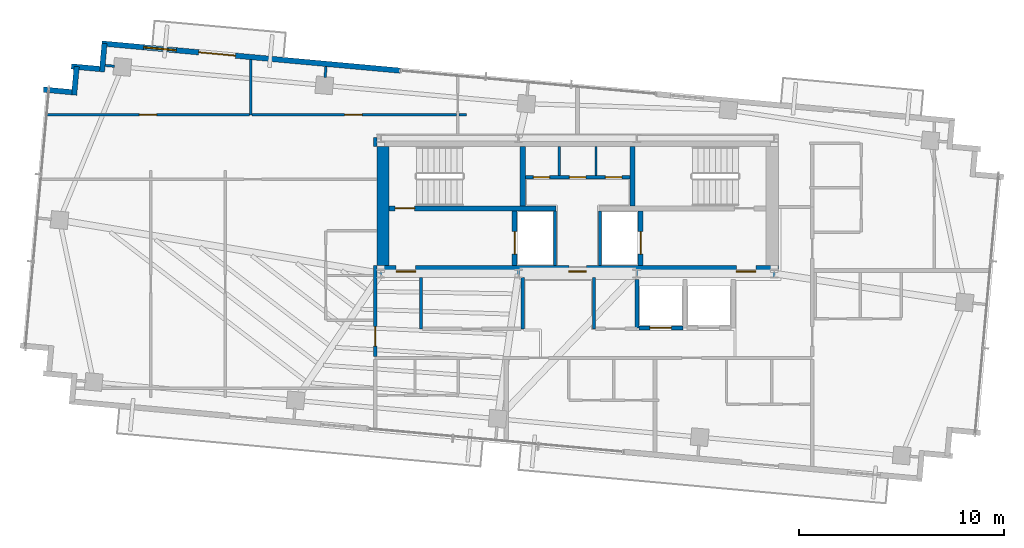
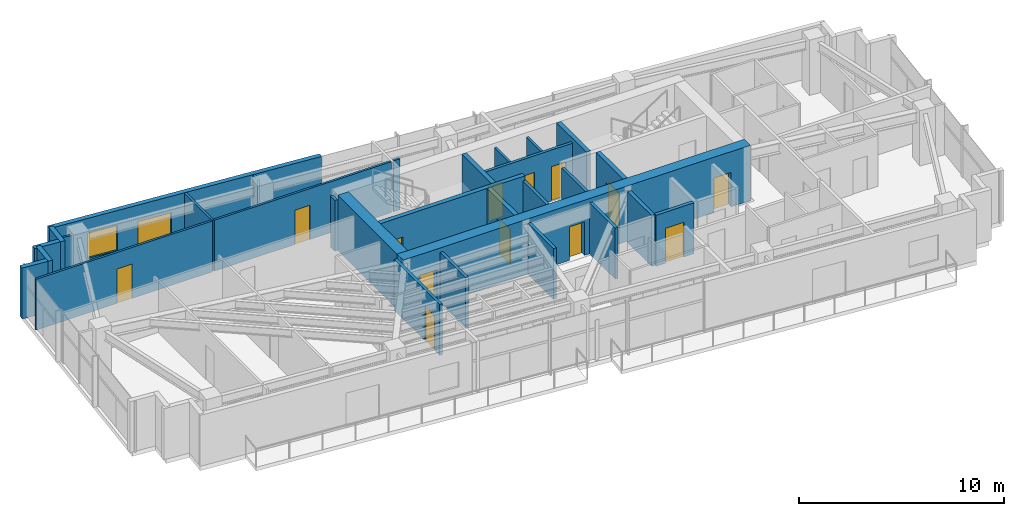
# One storey, part 17 of 22: 30 walls, 14 doors, 1 window, 15 openings.
"""IFC4 building model written with IfcOpenShell, lengths in metres."""

import ifcopenshell
import ifcopenshell.guid

model = None  # the IFC model being written
_history = None  # IfcOwnerHistory: only IFC2X3 demands one
_inside = {}  # id of a spatial element -> (the spatial element, [elements in it])
_under = {}  # id of a project, library or spatial element -> (it, [spatial elements below it])
_declared = {}  # id of a project -> (the project, [libraries it declares])
_typed = {}  # id of a type object -> (the type object, [elements of that type])
_made_of = {}  # id of a material, layer set ... -> (it, [elements and type objects made of it])


def new_model(schema):
    """Start an empty IFC model of exactly this schema.

    Asked for "IFC4X3", IfcOpenShell would pick the latest addendum, in which some entities
    have other attributes; the version numbers below select the first issue.
    IFC2X3 requires an IfcOwnerHistory on every rooted entity: one is made here for all.
    """
    global model, _history
    if schema == "IFC4X3":
        model = ifcopenshell.file(schema_version=(4, 3, 0, 0))
    else:
        model = ifcopenshell.file(schema=schema)
    _inside.clear()
    _under.clear()
    _declared.clear()
    _typed.clear()
    _made_of.clear()
    _history = None
    if model.schema == "IFC2X3":
        org = make("IfcOrganization", Name="unknown")
        user = make(
            "IfcPersonAndOrganization",
            ThePerson=make("IfcPerson", FamilyName="unknown"),
            TheOrganization=org,
        )
        app = make(
            "IfcApplication",
            ApplicationDeveloper=org,
            Version="unknown",
            ApplicationFullName="unknown",
            ApplicationIdentifier="unknown",
        )
        _history = make(
            "IfcOwnerHistory",
            OwningUser=user,
            OwningApplication=app,
            ChangeAction="ADDED",
            CreationDate=0,
        )
    return model


def make(cls, **values):
    """One entity of the class cls with the attributes given. An attribute that is None is left unset."""
    return model.create_entity(
        cls, **{name: value for name, value in values.items() if value is not None}
    )


def rooted(cls, **values):
    """An entity with a GlobalId (a new one), such as an element, a storey or a relation."""
    return make(cls, GlobalId=ifcopenshell.guid.new(), OwnerHistory=_history, **values)


def si_unit(unit_type, name, prefix=None):
    """IfcSIUnit, for example si_unit("LENGTHUNIT", "METRE", prefix="MILLI")."""
    return make("IfcSIUnit", UnitType=unit_type, Prefix=prefix, Name=name)


def assignment(units):
    """IfcUnitAssignment: the units of a project."""
    return None if units is None else make("IfcUnitAssignment", Units=units)


def point(xyz):
    """IfcCartesianPoint."""
    return None if xyz is None else make("IfcCartesianPoint", Coordinates=xyz)


def direction(xyz):
    """IfcDirection."""
    return None if xyz is None else make("IfcDirection", DirectionRatios=xyz)


def frame(location, z_axis=None, x_axis=None):
    """IfcAxis2Placement3D, a coordinate frame: its origin and axes. An axis left out is left unset."""
    return make(
        "IfcAxis2Placement3D",
        Location=point(location),
        Axis=direction(z_axis),
        RefDirection=direction(x_axis),
    )


def frame_2d(location, x_axis=None):
    """IfcAxis2Placement2D, a coordinate frame in the plane: its origin and x axis."""
    return make(
        "IfcAxis2Placement2D", Location=point(location), RefDirection=direction(x_axis)
    )


def origin():
    """The frame at (0, 0, 0) with its axes left unset."""
    return frame((0.0, 0.0, 0.0))


def place(relative_to, where):
    """IfcLocalPlacement: puts the frame where relative to a parent placement (None: the world)."""
    return make(
        "IfcLocalPlacement", PlacementRelTo=relative_to, RelativePlacement=where
    )


def context(
    kind, dimensions, precision=None, world=None, true_north=None, identifier=None
):
    """IfcGeometricRepresentationContext, for example the 3D "Model" context."""
    return make(
        "IfcGeometricRepresentationContext",
        ContextIdentifier=identifier,
        ContextType=kind,
        CoordinateSpaceDimension=dimensions,
        Precision=precision,
        WorldCoordinateSystem=world,
        TrueNorth=true_north,
    )


def subcontext(parent, identifier, kind, view, scale=None):
    """IfcGeometricRepresentationSubContext, for example "Body" below "Model"."""
    return make(
        "IfcGeometricRepresentationSubContext",
        ContextIdentifier=identifier,
        ContextType=kind,
        ParentContext=parent,
        TargetScale=scale,
        TargetView=view,
    )


def project(units=None, contexts=None):
    """IfcProject with its units and contexts."""
    return rooted(
        "IfcProject",
        Name="project",
        RepresentationContexts=contexts,
        UnitsInContext=assignment(units),
    )


def spatial(cls, under=None, at=None, **own):
    """A site, building, storey or space (cls), placed at a placement, below another one or the project."""
    s = rooted(cls, ObjectPlacement=at, **own)
    if under is not None:
        _under.setdefault(under.id(), (under, []))[1].append(s)
    return s


def profile(cls, at=None, kind="AREA", **sizes):
    """A parametric profile (cls). Its sizes go by their IFC names, for example OverallWidth=200.0."""
    return make(cls, ProfileType=kind, Position=at, **sizes)


def rectangle(**sizes):
    """IfcRectangleProfileDef."""
    return profile("IfcRectangleProfileDef", **sizes)


def extrude(swept, where, along, depth):
    """IfcExtrudedAreaSolid: the profile swept, set in the frame where, extruded along a direction by depth."""
    return make(
        "IfcExtrudedAreaSolid",
        SweptArea=swept,
        Position=where,
        ExtrudedDirection=direction(along),
        Depth=depth,
    )


def shape(context_of_items, identifier, shape_type, items):
    """IfcShapeRepresentation: the items that make up one representation, for example the "Body"."""
    return make(
        "IfcShapeRepresentation",
        ContextOfItems=context_of_items,
        RepresentationIdentifier=identifier,
        RepresentationType=shape_type,
        Items=items,
    )


def source(mapping_origin, context_of_items, identifier, shape_type, items):
    """IfcRepresentationMap: a shape defined once, which mapped items show again and again."""
    return make(
        "IfcRepresentationMap",
        MappingOrigin=mapping_origin,
        MappedRepresentation=shape(context_of_items, identifier, shape_type, items),
    )


def transform(
    local_origin,
    x_axis=None,
    y_axis=None,
    z_axis=None,
    scale=None,
    scale2=None,
    scale3=None,
    uniform=True,
):
    """IfcCartesianTransformationOperator3D, or its non-uniform kind. x_axis, y_axis, z_axis: its Axis1, 2, 3."""
    if uniform:
        return make(
            "IfcCartesianTransformationOperator3D",
            Axis1=direction(x_axis),
            Axis2=direction(y_axis),
            LocalOrigin=point(local_origin),
            Scale=scale,
            Axis3=direction(z_axis),
        )
    return make(
        "IfcCartesianTransformationOperator3DnonUniform",
        Axis1=direction(x_axis),
        Axis2=direction(y_axis),
        LocalOrigin=point(local_origin),
        Scale=scale,
        Axis3=direction(z_axis),
        Scale2=scale2,
        Scale3=scale3,
    )


def mapped(mapping_source, mapping_target):
    """IfcMappedItem: shows the shape of a source again, moved by a transform."""
    return make(
        "IfcMappedItem", MappingSource=mapping_source, MappingTarget=mapping_target
    )


def material(Name=None, Category=None):
    """IfcMaterial."""
    return make("IfcMaterial", Name=Name, Category=Category)


def layer(
    of_material, thickness, ventilated=None, Name=None, Category=None, Priority=None
):
    """IfcMaterialLayer: one layer of a wall or slab, of a material (None: an air gap)."""
    return make(
        "IfcMaterialLayer",
        Material=of_material,
        LayerThickness=thickness,
        IsVentilated=ventilated,
        Name=Name,
        Category=Category,
        Priority=Priority,
    )


def layer_set(layers, Name=None):
    """IfcMaterialLayerSet."""
    return make("IfcMaterialLayerSet", MaterialLayers=layers, LayerSetName=Name)


def made_of(thing, what):
    """Note that an element or type object is made of a material, layer set ...; save() writes the relation."""
    if what is not None:
        _made_of.setdefault(what.id(), (what, []))[1].append(thing)
    return thing


def type_object(cls, material=None, **own):
    """A type object (cls), such as IfcWallType, which elements share."""
    return made_of(rooted(cls, **own), material)


def type_shapes(of_type, sources):
    """Give a type object the sources (RepresentationMaps) that its elements show as mapped items."""
    of_type.RepresentationMaps = sources


def element(
    cls,
    number,
    at=None,
    inside=None,
    cuts=None,
    type_object=None,
    material=None,
    context=None,
    identifier="Body",
    shape_type=None,
    held_by="IfcProductDefinitionShape",
    body=None,
    shapes=None,
    **own,
):
    """One element of the class cls, such as IfcWall. Its Tag is "e" and its number.

    at: its placement. inside: the storey or other place that contains it. cuts: it is an
    opening in that element (IfcRelVoidsElement). A single representation is given by context,
    identifier, shape_type and body (its items); several are given by shapes. held_by: the class
    of the entity that holds the representations. save() writes the other relations.
    """
    e = rooted(cls, Tag="e%d" % number, ObjectPlacement=at, **own)
    if body is not None:
        shapes = [shape(context, identifier, shape_type, body)]
    if shapes is not None:
        e.Representation = make(held_by, Representations=shapes)
    if inside is not None:
        _inside.setdefault(inside.id(), (inside, []))[1].append(e)
    if cuts is not None:
        rooted(
            "IfcRelVoidsElement", RelatingBuildingElement=cuts, RelatedOpeningElement=e
        )
    if type_object is not None:
        _typed.setdefault(type_object.id(), (type_object, []))[1].append(e)
    return made_of(e, material)


def fill(opening, filler):
    """IfcRelFillsElement: the door or window that sits in an opening."""
    return rooted(
        "IfcRelFillsElement",
        RelatingOpeningElement=opening,
        RelatedBuildingElement=filler,
    )


def aggregate(whole, parts):
    """IfcRelAggregates: a whole, such as a stair, and the parts it consists of."""
    return rooted("IfcRelAggregates", RelatingObject=whole, RelatedObjects=parts)


def save(model, path):
    """Write the relations noted so far, then the file.

    IfcRelAggregates (storeys below a building ...), IfcRelContainedInSpatialStructure (elements
    in a storey), IfcRelDefinesByType, IfcRelAssociatesMaterial and IfcRelDeclares: one each for
    every whole, place, type object, material and project.
    """
    for whole, parts in _under.values():
        aggregate(whole, parts)
    for where, things in _inside.values():
        rooted(
            "IfcRelContainedInSpatialStructure",
            RelatedElements=things,
            RelatingStructure=where,
        )
    for kind, things in _typed.values():
        rooted("IfcRelDefinesByType", RelatedObjects=things, RelatingType=kind)
    for what, things in _made_of.values():
        rooted("IfcRelAssociatesMaterial", RelatedObjects=things, RelatingMaterial=what)
    for by, libraries in _declared.values():
        rooted("IfcRelDeclares", RelatingContext=by, RelatedDefinitions=libraries)
    model.write(path)


model = new_model("IFC4")

# Units and contexts
model_context = context("Model", 3, precision=1e-05, world=origin(), true_north=direction((0.0, 1.0)))
body_context = subcontext(model_context, "Body", "Model", "MODEL_VIEW")
ifc_project = project(units=[si_unit("LENGTHUNIT", "METRE"), si_unit("AREAUNIT", "SQUARE_METRE"), si_unit("VOLUMEUNIT", "CUBIC_METRE"), si_unit("PLANEANGLEUNIT", "RADIAN"), si_unit("MASSUNIT", "GRAM", prefix="KILO")], contexts=[model_context])

# Site, building, storey
site_placement = place(None, origin())
site = spatial("IfcSite", under=ifc_project, at=site_placement, CompositionType="ELEMENT")
building_placement = place(site_placement, origin())
building = spatial("IfcBuilding", under=site, at=building_placement, Name="Astriad Promenade Condominiums", CompositionType="ELEMENT")
storey_placement = place(building_placement, frame((0.0, 0.0, 233.10009765625)))
storey = spatial("IfcBuildingStorey", under=building, at=storey_placement, Name="L67", CompositionType="ELEMENT", Elevation=233.10009765625)

# Wall, openings, doors
ifc_material_1 = material(Name="Concrete C50/60", Category="concrete")
ifc_layer_1 = layer(ifc_material_1, 0.60009765625)
ifc_layer_set_1 = layer_set([ifc_layer_1], Name="Concrete C50/60")
wall_type_1 = type_object("IfcWallType", Name="CW-SHEAR-600", PredefinedType="SHEAR", material=ifc_layer_set_1)
wall_1_placement = place(storey_placement, frame((26.199951171875, 17.5, 0.0), z_axis=(0.0, 0.0, 1.0), x_axis=(1.0, 0.0, 0.0)))
wall_1 = element("IfcWall", 1, at=wall_1_placement, inside=storey, type_object=wall_type_1, Name="CW-CORE-S-L67", PredefinedType="SHEAR", context=body_context, shape_type="SweptSolid", body=[
    extrude(rectangle(XDim=19.60009765625, YDim=0.60009765625, at=frame_2d((9.800048828125, 0.0))), origin(), (0.0, 0.0, 1.0), 3.2998046875),
])
opening_1_placement = place(wall_1_placement, frame((0.949951171875, 0.0, 0.0)))
opening_1 = element("IfcOpeningElement", 2, at=opening_1_placement, cuts=wall_1, Name="Opening FD90-ST-095", PredefinedType="OPENING", context=body_context, shape_type="SweptSolid", body=[
    extrude(rectangle(XDim=0.949951171875, YDim=2.06005859375, at=frame_2d((0.47509765625, 1.030029296875))), frame((0.0, 0.31005859375, 0.0), z_axis=(0.0, -1.0, 0.0), x_axis=(1.0, 0.0, 0.0)), (0.0, 0.0, 1.0), 0.6201171875),
])
opening_2_placement = place(wall_1_placement, frame((9.3798828125, 0.0, 0.0)))
opening_2 = element("IfcOpeningElement", 3, at=opening_2_placement, cuts=wall_1, Name="Opening FD60-ULOW-085", PredefinedType="OPENING", context=body_context, shape_type="SweptSolid", body=[
    extrude(rectangle(XDim=0.85009765625, YDim=2.0, at=frame_2d((0.425048828125, 1.0))), frame((0.0, 0.31005859375, 0.0), z_axis=(0.0, -1.0, 0.0), x_axis=(1.0, 0.0, 0.0)), (0.0, 0.0, 1.0), 0.6201171875),
])
opening_3_placement = place(wall_1_placement, frame((17.550048828125, 0.0, 0.0)))
opening_3 = element("IfcOpeningElement", 4, at=opening_3_placement, cuts=wall_1, Name="Opening FD90-ST-095", PredefinedType="OPENING", context=body_context, shape_type="SweptSolid", body=[
    extrude(rectangle(XDim=0.949951171875, YDim=2.06005859375, at=frame_2d((0.47509765625, 1.030029296875))), frame((0.0, 0.31005859375, 0.0), z_axis=(0.0, -1.0, 0.0), x_axis=(1.0, 0.0, 0.0)), (0.0, 0.0, 1.0), 0.6201171875),
])
ifc_material_2 = material(Name="Fire-Rated Hollow Metal Stair Door")
door_type_1 = type_object("IfcDoorType", Name="FD90-ST-095", OperationType="NOTDEFINED", PredefinedType="DOOR", material=ifc_material_2)
shared_shape_1 = source(origin(), body_context, "Body", "SweptSolid", [
    extrude(rectangle(XDim=0.949951171875, YDim=2.06005859375, at=frame_2d((0.47509765625, 1.030029296875))), frame((0.0, 0.02490234375, 0.0), z_axis=(0.0, -1.0, 0.0), x_axis=(1.0, 0.0, 0.0)), (0.0, 0.0, 1.0), 0.050048828125),
])
type_shapes(door_type_1, [shared_shape_1])
door_1_placement = place(opening_1_placement, origin())
door_1 = element("IfcDoor", 5, at=door_1_placement, inside=storey, type_object=door_type_1, Name="D-FFW-L67", OperationType="SINGLE_SWING_LEFT", OverallHeight=2.06005859375, OverallWidth=0.949951171875, PredefinedType="DOOR", context=body_context, shape_type="MappedRepresentation", body=[
    mapped(shared_shape_1, transform((0.0, 0.0, 0.0), scale=1.0)),
])
fill(opening_1, door_1)
door_2_placement = place(opening_3_placement, origin())
door_2 = element("IfcDoor", 6, at=door_2_placement, inside=storey, type_object=door_type_1, Name="D-FFE-L67", OperationType="SINGLE_SWING_RIGHT", OverallHeight=2.06005859375, OverallWidth=0.949951171875, PredefinedType="DOOR", context=body_context, shape_type="MappedRepresentation", body=[
    mapped(shared_shape_1, transform((0.0, 0.0, 0.0), scale=1.0)),
])
fill(opening_3, door_2)
ifc_material_3 = material(Name="Solid-Core Low-Headroom Fire Door")
door_type_2 = type_object("IfcDoorType", Name="FD60-ULOW-085", OperationType="NOTDEFINED", PredefinedType="DOOR", material=ifc_material_3)
shared_shape_2 = source(origin(), body_context, "Body", "SweptSolid", [
    extrude(rectangle(XDim=0.85009765625, YDim=2.0, at=frame_2d((0.425048828125, 1.0))), frame((0.0, 0.02490234375, 0.0), z_axis=(0.0, -1.0, 0.0), x_axis=(1.0, 0.0, 0.0)), (0.0, 0.0, 1.0), 0.050048828125),
])
type_shapes(door_type_2, [shared_shape_2])
door_3_placement = place(opening_2_placement, origin())
door_3 = element("IfcDoor", 7, at=door_3_placement, inside=storey, type_object=door_type_2, Name="D-CSL-L67", OperationType="SINGLE_SWING_RIGHT", OverallHeight=2.0, OverallWidth=0.85009765625, PredefinedType="DOOR", context=body_context, shape_type="MappedRepresentation", body=[
    mapped(shared_shape_2, transform((0.0, 0.0, 0.0), scale=1.0)),
])
fill(opening_2, door_3)

# Wall
wall_2_placement = place(storey_placement, frame((26.5, 17.802001953125, 0.0), z_axis=(0.0, 0.0, 1.0), x_axis=(0.0, 1.0, 0.0)))
element("IfcWall", 8, at=wall_2_placement, inside=storey, type_object=wall_type_1, Name="CW-CORE-W-L67", PredefinedType="SHEAR", context=body_context, shape_type="SweptSolid", body=[
    extrude(rectangle(XDim=5.7958984375, YDim=0.60009765625, at=frame_2d((2.89794921875, 0.0))), origin(), (0.0, 0.0, 1.0), 3.2998046875),
])

# Wall, opening, door
ifc_layer_2 = layer(ifc_material_1, 0.25)
ifc_layer_set_2 = layer_set([ifc_layer_2], Name="Concrete C50/60")
wall_type_2 = type_object("IfcWallType", Name="WALL-CORE-INT-250", PredefinedType="SOLIDWALL", material=ifc_layer_set_2)
wall_3_placement = place(storey_placement, frame((26.802001953125, 20.574951171875, 0.0), z_axis=(0.0, 0.0, 1.0), x_axis=(1.0, 0.0, 0.0)))
wall_3 = element("IfcWall", 9, at=wall_3_placement, inside=storey, type_object=wall_type_2, Name="CW-INT-H1-L67", PredefinedType="SOLIDWALL", context=body_context, shape_type="SweptSolid", body=[
    extrude(rectangle(XDim=8.14794921875, YDim=0.25, at=frame_2d((4.073974609375, 0.0))), origin(), (0.0, 0.0, 1.0), 3.2998046875),
])
opening_4_placement = place(wall_3_placement, frame((0.298095703125, 0.0, 0.0)))
opening_4 = element("IfcOpeningElement", 10, at=opening_4_placement, cuts=wall_3, Name="Opening FD90-ST-095", PredefinedType="OPENING", context=body_context, shape_type="SweptSolid", body=[
    extrude(rectangle(XDim=0.949951171875, YDim=2.06005859375, at=frame_2d((0.47509765625, 1.030029296875))), frame((0.0, 0.135009765625, 0.0), z_axis=(0.0, -1.0, 0.0), x_axis=(1.0, 0.0, 0.0)), (0.0, 0.0, 1.0), 0.27001953125),
])
door_4_placement = place(opening_4_placement, origin())
door_4 = element("IfcDoor", 11, at=door_4_placement, inside=storey, type_object=door_type_1, Name="D-ST1-L67", OperationType="SINGLE_SWING_RIGHT", OverallHeight=2.06005859375, OverallWidth=0.949951171875, PredefinedType="DOOR", context=body_context, shape_type="MappedRepresentation", body=[
    mapped(shared_shape_1, transform((0.0, 0.0, 0.0), scale=1.0)),
])
fill(opening_4, door_4)

# Walls
for number, where, z_axis, x_axis, name in (
    (12, (33.324951171875, 20.701904296875, 0.0), (0.0, 0.0, 1.0), (0.0, 1.0, 0.0), "CW-ST1-E-L67"),
    (13, (38.675048828125, 20.701904296875, 0.0), (0.0, 0.0, 1.0), (0.0, 1.0, 0.0), "CW-ST2-W-L67"),
):
    element("IfcWall", number, at=place(storey_placement, frame(where, z_axis=z_axis, x_axis=x_axis)), inside=storey, type_object=wall_type_2, Name=name, PredefinedType="SOLIDWALL", context=body_context, shape_type="SweptSolid", body=[
        extrude(rectangle(XDim=2.89599609375, YDim=0.25, at=frame_2d((1.447998046875, 0.0))), origin(), (0.0, 0.0, 1.0), 3.2998046875),
    ])

# Wall, opening, door
wall_4_placement = place(storey_placement, frame((32.925048828125, 17.802001953125, 0.0), z_axis=(0.0, 0.0, 1.0), x_axis=(0.0, 1.0, 0.0)))
wall_4 = element("IfcWall", 14, at=wall_4_placement, inside=storey, type_object=wall_type_2, Name="CW-FFL1-W-L67", PredefinedType="SOLIDWALL", context=body_context, shape_type="SweptSolid", body=[
    extrude(rectangle(XDim=2.64599609375, YDim=0.25, at=frame_2d((1.322998046875, 0.0))), origin(), (0.0, 0.0, 1.0), 3.2998046875),
])
opening_5_placement = place(wall_4_placement, frame((0.548095703125, 0.0, 0.0)))
opening_5 = element("IfcOpeningElement", 15, at=opening_5_placement, cuts=wall_4, Name="Opening LD-FFL-1122", PredefinedType="OPENING", context=body_context, shape_type="SweptSolid", body=[
    extrude(rectangle(XDim=1.10009765625, YDim=2.080078125, at=frame_2d((0.550048828125, 1.0400390625))), frame((0.0, 0.135009765625, 0.0), z_axis=(0.0, -1.0, 0.0), x_axis=(1.0, 0.0, 0.0)), (0.0, 0.0, 1.0), 0.27001953125),
])
ifc_material_4 = material(Name="Brushed Stainless Steel Fire Elevator Landing Door", Category="steel")
door_type_3 = type_object("IfcDoorType", Name="LD-FFL-1122", OperationType="NOTDEFINED", PredefinedType="DOOR", material=ifc_material_4)
shared_shape_3 = source(origin(), body_context, "Body", "SweptSolid", [
    extrude(rectangle(XDim=1.10009765625, YDim=2.080078125, at=frame_2d((0.550048828125, 1.0400390625))), frame((0.0, 0.02490234375, 0.0), z_axis=(0.0, -1.0, 0.0), x_axis=(1.0, 0.0, 0.0)), (0.0, 0.0, 1.0), 0.050048828125),
])
type_shapes(door_type_3, [shared_shape_3])
door_5_placement = place(opening_5_placement, origin())
door_5 = element("IfcDoor", 16, at=door_5_placement, inside=storey, type_object=door_type_3, Name="Elevator Landing Door FFL-1 (L67)", OperationType="SLIDING_TO_LEFT", OverallHeight=2.080078125, OverallWidth=1.10009765625, PredefinedType="DOOR", context=body_context, shape_type="MappedRepresentation", body=[
    mapped(shared_shape_3, transform((0.0, 0.0, 0.0), scale=1.0)),
])
fill(opening_5, door_5)

wall_5_placement = place(storey_placement, frame((39.074951171875, 17.802001953125, 0.0), z_axis=(0.0, 0.0, 1.0), x_axis=(0.0, 1.0, 0.0)))
wall_5 = element("IfcWall", 17, at=wall_5_placement, inside=storey, type_object=wall_type_2, Name="CW-FFL2-E-L67", PredefinedType="SOLIDWALL", context=body_context, shape_type="SweptSolid", body=[
    extrude(rectangle(XDim=2.64599609375, YDim=0.25, at=frame_2d((1.322998046875, 0.0))), origin(), (0.0, 0.0, 1.0), 3.2998046875),
])
opening_6_placement = place(wall_5_placement, frame((0.548095703125, 0.0, 0.0)))
opening_6 = element("IfcOpeningElement", 18, at=opening_6_placement, cuts=wall_5, Name="Opening LD-FFL-1122", PredefinedType="OPENING", context=body_context, shape_type="SweptSolid", body=[
    extrude(rectangle(XDim=1.10009765625, YDim=2.080078125, at=frame_2d((0.550048828125, 1.0400390625))), frame((0.0, 0.135009765625, 0.0), z_axis=(0.0, -1.0, 0.0), x_axis=(1.0, 0.0, 0.0)), (0.0, 0.0, 1.0), 0.27001953125),
])
door_6_placement = place(opening_6_placement, origin())
door_6 = element("IfcDoor", 19, at=door_6_placement, inside=storey, type_object=door_type_3, Name="Elevator Landing Door FFL-2 (L67)", OperationType="SLIDING_TO_RIGHT", OverallHeight=2.080078125, OverallWidth=1.10009765625, PredefinedType="DOOR", context=body_context, shape_type="MappedRepresentation", body=[
    mapped(shared_shape_3, transform((0.0, 0.0, 0.0), scale=1.0)),
])
fill(opening_6, door_6)

# Walls
ifc_material_5 = material(Name="Fire-Rated Gypsum Partition")
ifc_layer_3 = layer(ifc_material_5, 0.159912109375)
ifc_layer_set_3 = layer_set([ifc_layer_3], Name="Fire-Rated Gypsum Partition")
wall_type_3 = type_object("IfcWallType", Name="WALL-CORR-160", PredefinedType="PARTITIONING", material=ifc_layer_set_3)
for number, where, z_axis, x_axis, name in (
    (20, (34.89990234375, 17.802001953125, 0.0), (0.0, 0.0, 1.0), (0.0, 1.0, 0.0), "CW-FFL1-E-L67"),
    (21, (37.10009765625, 17.802001953125, 0.0), (0.0, 0.0, 1.0), (0.0, 1.0, 0.0), "CW-FFL2-W-L67"),
):
    element("IfcWall", number, at=place(storey_placement, frame(where, z_axis=z_axis, x_axis=x_axis)), inside=storey, type_object=wall_type_3, Name=name, PredefinedType="PARTITIONING", context=body_context, shape_type="SweptSolid", body=[
        extrude(rectangle(XDim=2.64599609375, YDim=0.159912109375, at=frame_2d((1.322998046875, 0.0))), origin(), (0.0, 0.0, 1.0), 3.039794921875),
    ])

# Wall, openings, doors
wall_6_placement = place(storey_placement, frame((33.451904296875, 22.10009765625, 0.0), z_axis=(0.0, 0.0, 1.0), x_axis=(1.0, 0.0, 0.0)))
wall_6 = element("IfcWall", 22, at=wall_6_placement, inside=storey, type_object=wall_type_3, Name="CW-AUX-N-L67", PredefinedType="PARTITIONING", context=body_context, shape_type="SweptSolid", body=[
    extrude(rectangle(XDim=5.09619140625, YDim=0.159912109375, at=frame_2d((2.548095703125, 0.0))), origin(), (0.0, 0.0, 1.0), 3.039794921875),
])
opening_7_placement = place(wall_6_placement, frame((0.387939453125, 0.0, 0.0)))
opening_7 = element("IfcOpeningElement", 23, at=opening_7_placement, cuts=wall_6, Name="Opening FD60-SV-080", PredefinedType="OPENING", context=body_context, shape_type="SweptSolid", body=[
    extrude(rectangle(XDim=0.800048828125, YDim=2.050048828125, at=frame_2d((0.39990234375, 1.02490234375))), frame((0.0, 0.08984375, 0.0), z_axis=(0.0, -1.0, 0.0), x_axis=(1.0, 0.0, 0.0)), (0.0, 0.0, 1.0), 0.179931640625),
])
opening_8_placement = place(wall_6_placement, frame((2.14794921875, 0.0, 0.0)))
opening_8 = element("IfcOpeningElement", 24, at=opening_8_placement, cuts=wall_6, Name="Opening FD60-SV-080", PredefinedType="OPENING", context=body_context, shape_type="SweptSolid", body=[
    extrude(rectangle(XDim=0.800048828125, YDim=2.050048828125, at=frame_2d((0.39990234375, 1.02490234375))), frame((0.0, 0.08984375, 0.0), z_axis=(0.0, -1.0, 0.0), x_axis=(1.0, 0.0, 0.0)), (0.0, 0.0, 1.0), 0.179931640625),
])
opening_9_placement = place(wall_6_placement, frame((3.907958984375, 0.0, 0.0)))
opening_9 = element("IfcOpeningElement", 25, at=opening_9_placement, cuts=wall_6, Name="Opening FD60-SV-080", PredefinedType="OPENING", context=body_context, shape_type="SweptSolid", body=[
    extrude(rectangle(XDim=0.800048828125, YDim=2.050048828125, at=frame_2d((0.39990234375, 1.02490234375))), frame((0.0, 0.08984375, 0.0), z_axis=(0.0, -1.0, 0.0), x_axis=(1.0, 0.0, 0.0)), (0.0, 0.0, 1.0), 0.179931640625),
])
ifc_material_6 = material(Name="Fire-Rated Riser Closet Door")
door_type_4 = type_object("IfcDoorType", Name="FD60-SV-080", OperationType="NOTDEFINED", PredefinedType="DOOR", material=ifc_material_6)
shared_shape_4 = source(origin(), body_context, "Body", "SweptSolid", [
    extrude(rectangle(XDim=0.800048828125, YDim=2.050048828125, at=frame_2d((0.39990234375, 1.02490234375))), frame((0.0, 0.02490234375, 0.0), z_axis=(0.0, -1.0, 0.0), x_axis=(1.0, 0.0, 0.0)), (0.0, 0.0, 1.0), 0.050048828125),
])
type_shapes(door_type_4, [shared_shape_4])
door_7_placement = place(opening_7_placement, origin())
door_7 = element("IfcDoor", 26, at=door_7_placement, inside=storey, type_object=door_type_4, Name="D-AUX1-L67", OperationType="SINGLE_SWING_RIGHT", OverallHeight=2.050048828125, OverallWidth=0.800048828125, PredefinedType="DOOR", context=body_context, shape_type="MappedRepresentation", body=[
    mapped(shared_shape_4, transform((0.0, 0.0, 0.0), scale=1.0)),
])
fill(opening_7, door_7)
door_8_placement = place(opening_8_placement, origin())
door_8 = element("IfcDoor", 27, at=door_8_placement, inside=storey, type_object=door_type_4, Name="D-AUX2-L67", OperationType="SINGLE_SWING_LEFT", OverallHeight=2.050048828125, OverallWidth=0.800048828125, PredefinedType="DOOR", context=body_context, shape_type="MappedRepresentation", body=[
    mapped(shared_shape_4, transform((0.0, 0.0, 0.0), scale=1.0)),
])
fill(opening_8, door_8)
door_9_placement = place(opening_9_placement, origin())
door_9 = element("IfcDoor", 28, at=door_9_placement, inside=storey, type_object=door_type_4, Name="D-AUX3-L67", OperationType="SINGLE_SWING_RIGHT", OverallHeight=2.050048828125, OverallWidth=0.800048828125, PredefinedType="DOOR", context=body_context, shape_type="MappedRepresentation", body=[
    mapped(shared_shape_4, transform((0.0, 0.0, 0.0), scale=1.0)),
])
fill(opening_9, door_9)

# Wall, opening, door
wall_7_placement = place(storey_placement, frame((26.1201171875, 13.362060546875, 0.0), z_axis=(0.0, 0.0, 1.0), x_axis=(0.0, 1.0, 0.0)))
wall_7 = element("IfcWall", 29, at=wall_7_placement, inside=storey, type_object=wall_type_3, Name="PT-COR-W-L67-S2", PredefinedType="PARTITIONING", context=body_context, shape_type="SweptSolid", body=[
    extrude(rectangle(XDim=4.43994140625, YDim=0.159912109375, at=frame_2d((2.219970703125, 0.0))), origin(), (0.0, 0.0, 1.0), 3.039794921875),
])
opening_10_placement = place(wall_7_placement, frame((0.492919921875, 0.0, 0.0)))
opening_10 = element("IfcOpeningElement", 30, at=opening_10_placement, cuts=wall_7, Name="Opening FD60-APT-095", PredefinedType="OPENING", context=body_context, shape_type="SweptSolid", body=[
    extrude(rectangle(XDim=0.949951171875, YDim=2.06005859375, at=frame_2d((0.47509765625, 1.030029296875))), frame((0.0, 0.08984375, 0.0), z_axis=(0.0, -1.0, 0.0), x_axis=(1.0, 0.0, 0.0)), (0.0, 0.0, 1.0), 0.179931640625),
])
ifc_material_7 = material(Name="Solid-Core Acoustic Timber Residence Entry Door", Category="wood")
door_type_5 = type_object("IfcDoorType", Name="FD60-APT-095", OperationType="NOTDEFINED", PredefinedType="DOOR", material=ifc_material_7)
shared_shape_5 = source(origin(), body_context, "Body", "SweptSolid", [
    extrude(rectangle(XDim=0.949951171875, YDim=2.06005859375, at=frame_2d((0.47509765625, 1.030029296875))), frame((0.0, 0.02490234375, 0.0), z_axis=(0.0, -1.0, 0.0), x_axis=(1.0, 0.0, 0.0)), (0.0, 0.0, 1.0), 0.050048828125),
])
type_shapes(door_type_5, [shared_shape_5])
door_10_placement = place(opening_10_placement, origin())
door_10 = element("IfcDoor", 31, at=door_10_placement, inside=storey, type_object=door_type_5, Name="D-ENT-L67-W1", OperationType="SINGLE_SWING_RIGHT", OverallHeight=2.06005859375, OverallWidth=0.949951171875, PredefinedType="DOOR", context=body_context, shape_type="MappedRepresentation", body=[
    mapped(shared_shape_5, transform((0.0, 0.0, 0.0), scale=1.0)),
])
fill(opening_10, door_10)

# Walls
wall_8_placement = place(storey_placement, frame((26.1201171875, 23.597900390625, 0.0), z_axis=(0.0, 0.0, 1.0), x_axis=(0.0, 1.0, 0.0)))
element("IfcWall", 32, at=wall_8_placement, inside=storey, type_object=wall_type_3, Name="PT-COR-W-L67-S3", PredefinedType="PARTITIONING", context=body_context, shape_type="SweptSolid", body=[
    extrude(rectangle(XDim=0.4521484375, YDim=0.159912109375, at=frame_2d((0.22607421875, 0.0))), origin(), (0.0, 0.0, 1.0), 3.039794921875),
])
for number, where, z_axis, x_axis, name in (
    (33, (28.360107421875, 14.699951171875, 0.0), (0.0, 0.0, 1.0), (0.0, 1.0, 0.0), "PT-Z3REC-W-L67"),
    (34, (33.320068359375, 14.699951171875, 0.0), (0.0, 0.0, 1.0), (0.0, 1.0, 0.0), "PT-Z3REC-E-L67"),
    (35, (36.800048828125, 14.699951171875, 0.0), (0.0, 0.0, 1.0), (0.0, 1.0, 0.0), "PT-Z3R2-W-L67"),
):
    element("IfcWall", number, at=place(storey_placement, frame(where, z_axis=z_axis, x_axis=x_axis)), inside=storey, type_object=wall_type_3, Name=name, PredefinedType="PARTITIONING", context=body_context, shape_type="SweptSolid", body=[
        extrude(rectangle(XDim=2.498046875, YDim=0.159912109375, at=frame_2d((1.2490234375, 0.0))), origin(), (0.0, 0.0, 1.0), 3.039794921875),
    ])
ifc_material_8 = material(Name="Precast concrete C50/60", Category="concrete")
ifc_layer_4 = layer(ifc_material_8, 0.260009765625)
ifc_layer_set_4 = layer_set([ifc_layer_4], Name="Precast concrete C50/60")
wall_type_4 = type_object("IfcWallType", Name="WALL-EXT-TWR-260", PredefinedType="STANDARD", material=ifc_layer_set_4)
for number, where, z_axis, x_axis, name in (
    (36, (9.93505859375, 26.376708984375, 0.0), (0.0, 0.0, 1.0), (0.995881721538, -0.090661991521, 0.0), "W-SER-L67-04"),
    (37, (11.427001953125, 26.110595703125, 0.0), (0.0, 0.0, 1.0), (0.090835571917, 0.995865904063, 0.0), "W-SER-L67-05"),
):
    element("IfcWall", number, at=place(storey_placement, frame(where, z_axis=z_axis, x_axis=x_axis)), inside=storey, type_object=wall_type_4, Name=name, PredefinedType="STANDARD", context=body_context, shape_type="SweptSolid", body=[
        extrude(rectangle(XDim=1.39501953125, YDim=0.260009765625, at=frame_2d((0.697509765625, 0.0))), origin(), (0.0, 0.0, 1.0), 3.039794921875),
    ])
wall_9_placement = place(storey_placement, frame((11.293212890625, 27.50830078125, 0.0), z_axis=(0.0, 0.0, 1.0), x_axis=(0.995883159782, -0.090646191665, 0.0)))
element("IfcWall", 38, at=wall_9_placement, inside=storey, type_object=wall_type_4, Name="W-SER-L67-06", PredefinedType="STANDARD", context=body_context, shape_type="SweptSolid", body=[
    extrude(rectangle(XDim=1.395263671875, YDim=0.260009765625, at=frame_2d((0.69775390625, 0.0))), origin(), (0.0, 0.0, 1.0), 3.039794921875),
])
wall_10_placement = place(storey_placement, frame((12.785400390625, 27.241943359375, 0.0), z_axis=(0.0, 0.0, 1.0), x_axis=(0.090472632758, 0.995898942023, 0.0)))
element("IfcWall", 39, at=wall_10_placement, inside=storey, type_object=wall_type_4, Name="W-SER-L67-07", PredefinedType="STANDARD", context=body_context, shape_type="SweptSolid", body=[
    extrude(rectangle(XDim=1.39501953125, YDim=0.260009765625, at=frame_2d((0.697509765625, 0.0))), origin(), (0.0, 0.0, 1.0), 3.039794921875),
])

# Wall, openings, door, window
wall_11_placement = place(storey_placement, frame((12.78076171875, 28.628173828125, 0.0), z_axis=(0.0, 0.0, 1.0), x_axis=(0.995884584572, -0.090630536861, 0.0)))
wall_11 = element("IfcWall", 40, at=wall_11_placement, inside=storey, type_object=wall_type_4, Name="W-EXT-L67-N1", PredefinedType="STANDARD", context=body_context, shape_type="SweptSolid", body=[
    extrude(rectangle(XDim=14.630126953125, YDim=0.260009765625, at=frame_2d((7.31494140625, 0.0))), origin(), (0.0, 0.0, 1.0), 3.039794921875),
])
opening_11_placement = place(wall_11_placement, frame((4.7490234375, 0.0, 0.0)))
opening_11 = element("IfcOpeningElement", 41, at=opening_11_placement, cuts=wall_11, Name="Opening BD-1822-SLD", PredefinedType="OPENING", context=body_context, shape_type="SweptSolid", body=[
    extrude(rectangle(XDim=1.800048828125, YDim=2.06005859375, at=frame_2d((0.89990234375, 1.030029296875))), frame((0.0, 0.139892578125, 0.0), z_axis=(0.0, -1.0, 0.0), x_axis=(1.0, 0.0, 0.0)), (0.0, 0.0, 1.0), 0.280029296875),
])
opening_12_placement = place(wall_11_placement, frame((2.050048828125, 0.0, 0.64990234375)))
opening_12 = element("IfcOpeningElement", 42, at=opening_12_placement, cuts=wall_11, Name="Opening WIN-TWR-1620", PredefinedType="OPENING", context=body_context, shape_type="SweptSolid", body=[
    extrude(rectangle(XDim=1.60009765625, YDim=1.5, at=frame_2d((0.800048828125, 0.75))), frame((0.0, 0.139892578125, 0.0), z_axis=(0.0, -1.0, 0.0), x_axis=(1.0, 0.0, 0.0)), (0.0, 0.0, 1.0), 0.280029296875),
])
ifc_material_9 = material(Name="Thermally Broken Aluminium Sliding Balcony Door", Category="aluminium")
door_type_6 = type_object("IfcDoorType", Name="BD-1822-SLD", OperationType="NOTDEFINED", PredefinedType="DOOR", material=ifc_material_9)
shared_shape_6 = source(origin(), body_context, "Body", "SweptSolid", [
    extrude(rectangle(XDim=1.800048828125, YDim=2.06005859375, at=frame_2d((0.89990234375, 1.030029296875))), frame((0.0, 0.02490234375, 0.0), z_axis=(0.0, -1.0, 0.0), x_axis=(1.0, 0.0, 0.0)), (0.0, 0.0, 1.0), 0.050048828125),
])
type_shapes(door_type_6, [shared_shape_6])
door_11_placement = place(opening_11_placement, origin())
door_11 = element("IfcDoor", 43, at=door_11_placement, inside=storey, type_object=door_type_6, Name="BD-L67-NW", OperationType="SLIDING_TO_LEFT", OverallHeight=2.06005859375, OverallWidth=1.800048828125, PredefinedType="DOOR", context=body_context, shape_type="MappedRepresentation", body=[
    mapped(shared_shape_6, transform((0.0, 0.0, 0.0), scale=1.0)),
])
fill(opening_11, door_11)
ifc_material_10 = material(Name="Dark Tinted Triple-Glazed Aluminium Window", Category="aluminium")
window_type = type_object("IfcWindowType", Name="WIN-TWR-1620", PartitioningType="SINGLE_PANEL", PredefinedType="WINDOW", material=ifc_material_10)
shared_shape_7 = source(origin(), body_context, "Body", "SweptSolid", [
    extrude(rectangle(XDim=1.60009765625, YDim=1.5, at=frame_2d((0.800048828125, 0.75))), frame((0.0, 0.030029296875, 0.0), z_axis=(0.0, -1.0, 0.0), x_axis=(1.0, 0.0, 0.0)), (0.0, 0.0, 1.0), 0.06005859375),
])
type_shapes(window_type, [shared_shape_7])
window_placement = place(opening_12_placement, origin())
window = element("IfcWindow", 44, at=window_placement, inside=storey, type_object=window_type, Name="WIN-L67-NW", OverallHeight=1.5, OverallWidth=1.60009765625, PartitioningType="SINGLE_PANEL", PredefinedType="WINDOW", context=body_context, shape_type="MappedRepresentation", body=[
    mapped(shared_shape_7, transform((0.0, 0.0, 0.0), scale=1.0)),
])
fill(opening_12, window)

# Walls
ifc_material_11 = material(Name="Acoustic Metal-Stud Gypsum Partition")
ifc_layer_5 = layer(ifc_material_11, 0.1201171875)
ifc_layer_set_5 = layer_set([ifc_layer_5], Name="Acoustic Metal-Stud Gypsum Partition")
wall_type_5 = type_object("IfcWallType", Name="WALL-PART-120", PredefinedType="PARTITIONING", material=ifc_layer_set_5)
for number, where, z_axis, x_axis, name in (
    (45, (35.10009765625, 22.181884765625, 0.0), (0.0, 0.0, 1.0), (0.0, 1.0, 0.0), "CW-AUX-V1-L67"),
    (46, (36.89990234375, 22.181884765625, 0.0), (0.0, 0.0, 1.0), (0.0, 1.0, 0.0), "CW-AUX-V2-L67"),
):
    element("IfcWall", number, at=place(storey_placement, frame(where, z_axis=z_axis, x_axis=x_axis)), inside=storey, type_object=wall_type_5, Name=name, PredefinedType="PARTITIONING", context=body_context, shape_type="SweptSolid", body=[
        extrude(rectangle(XDim=1.416015625, YDim=0.1201171875, at=frame_2d((0.7080078125, 0.0))), origin(), (0.0, 0.0, 1.0), 3.039794921875),
    ])
wall_12_placement = place(storey_placement, frame((20.044921875, 25.14208984375, 0.0), z_axis=(0.0, 0.0, 1.0), x_axis=(0.0, 1.0, 0.0)))
element("IfcWall", 47, at=wall_12_placement, inside=storey, type_object=wall_type_5, Name="PT-L67-W1-B1M", PredefinedType="PARTITIONING", context=body_context, shape_type="SweptSolid", body=[
    extrude(rectangle(XDim=2.6923828125, YDim=0.1201171875, at=frame_2d((1.34619140625, 0.0))), origin(), (0.0, 0.0, 1.0), 3.039794921875),
])

# Wall, opening, door
wall_13_placement = place(storey_placement, frame((10.03369140625, 25.14208984375, 0.0), z_axis=(0.0, 0.0, 1.0), x_axis=(1.0, 0.0, 0.0)))
wall_13 = element("IfcWall", 48, at=wall_13_placement, inside=storey, type_object=wall_type_5, Name="PT-L67-W1-B1", PredefinedType="PARTITIONING", context=body_context, shape_type="SweptSolid", body=[
    extrude(rectangle(XDim=9.94921875, YDim=0.1201171875, at=frame_2d((4.974609375, 0.0))), origin(), (0.0, 0.0, 1.0), 3.039794921875),
])
opening_13_placement = place(wall_13_placement, frame((4.573486328125, 0.0, 0.0)))
opening_13 = element("IfcOpeningElement", 49, at=opening_13_placement, cuts=wall_13, Name="Opening D-INT-085", PredefinedType="OPENING", context=body_context, shape_type="SweptSolid", body=[
    extrude(rectangle(XDim=0.85009765625, YDim=2.050048828125, at=frame_2d((0.425048828125, 1.02490234375))), frame((0.0, 0.070068359375, 0.0), z_axis=(0.0, -1.0, 0.0), x_axis=(1.0, 0.0, 0.0)), (0.0, 0.0, 1.0), 0.14013671875),
])
ifc_material_12 = material(Name="Painted Solid-Core Timber Room Door", Category="wood")
door_type_7 = type_object("IfcDoorType", Name="D-INT-085", OperationType="NOTDEFINED", PredefinedType="DOOR", material=ifc_material_12)
shared_shape_8 = source(origin(), body_context, "Body", "SweptSolid", [
    extrude(rectangle(XDim=0.85009765625, YDim=2.050048828125, at=frame_2d((0.425048828125, 1.02490234375))), frame((0.0, 0.02490234375, 0.0), z_axis=(0.0, -1.0, 0.0), x_axis=(1.0, 0.0, 0.0)), (0.0, 0.0, 1.0), 0.050048828125),
])
type_shapes(door_type_7, [shared_shape_8])
door_12_placement = place(opening_13_placement, origin())
door_12 = element("IfcDoor", 50, at=door_12_placement, inside=storey, type_object=door_type_7, Name="D-BD1-L67-W1", OperationType="SINGLE_SWING_RIGHT", OverallHeight=2.050048828125, OverallWidth=0.85009765625, PredefinedType="DOOR", context=body_context, shape_type="MappedRepresentation", body=[
    mapped(shared_shape_8, transform((0.0, 0.0, 0.0), scale=1.0)),
])
fill(opening_13, door_12)

wall_14_placement = place(storey_placement, frame((20.10693359375, 25.14208984375, 0.0), z_axis=(0.0, 0.0, 1.0), x_axis=(1.0, 0.0, 0.0)))
wall_14 = element("IfcWall", 51, at=wall_14_placement, inside=storey, type_object=wall_type_5, Name="PT-L67-W1-B1-S2", PredefinedType="PARTITIONING", context=body_context, shape_type="SweptSolid", body=[
    extrude(rectangle(XDim=9.98095703125, YDim=0.1201171875, at=frame_2d((4.990478515625, 0.0))), origin(), (0.0, 0.0, 1.0), 3.039794921875),
])
opening_14_placement = place(wall_14_placement, frame((4.52587890625, 0.0, 0.0)))
opening_14 = element("IfcOpeningElement", 52, at=opening_14_placement, cuts=wall_14, Name="Opening D-INT-085", PredefinedType="OPENING", context=body_context, shape_type="SweptSolid", body=[
    extrude(rectangle(XDim=0.85009765625, YDim=2.050048828125, at=frame_2d((0.425048828125, 1.02490234375))), frame((0.0, 0.070068359375, 0.0), z_axis=(0.0, -1.0, 0.0), x_axis=(1.0, 0.0, 0.0)), (0.0, 0.0, 1.0), 0.14013671875),
])
door_13_placement = place(opening_14_placement, origin())
door_13 = element("IfcDoor", 53, at=door_13_placement, inside=storey, type_object=door_type_7, Name="D-BD1B-L67-W1", OperationType="SINGLE_SWING_LEFT", OverallHeight=2.050048828125, OverallWidth=0.85009765625, PredefinedType="DOOR", context=body_context, shape_type="MappedRepresentation", body=[
    mapped(shared_shape_8, transform((0.0, 0.0, 0.0), scale=1.0)),
])
fill(opening_14, door_13)

# Walls
wall_15_placement = place(storey_placement, frame((30.2119140625, 25.14208984375, 0.0), z_axis=(0.0, 0.0, 1.0), x_axis=(1.0, 0.0, 0.0)))
element("IfcWall", 54, at=wall_15_placement, inside=storey, type_object=wall_type_5, Name="PT-L67-W1-B1-S3", PredefinedType="PARTITIONING", context=body_context, shape_type="SweptSolid", body=[
    extrude(rectangle(XDim=0.358154296875, YDim=0.1201171875, at=frame_2d((0.17919921875, 0.0))), origin(), (0.0, 0.0, 1.0), 3.039794921875),
])
wall_16_placement = place(storey_placement, frame((13.40283203125, 27.51708984375, 0.0), z_axis=(0.0, 0.0, 1.0), x_axis=(-0.995884462012, 0.090631883588, 0.0)))
element("IfcWall", 55, at=wall_16_placement, inside=storey, type_object=wall_type_5, Name="PT-PIL-L67-PC06-13", PredefinedType="PARTITIONING", context=body_context, shape_type="SweptSolid", body=[
    extrude(rectangle(XDim=0.4580078125, YDim=0.1201171875, at=frame_2d((0.22900390625, 0.0))), origin(), (0.0, 0.0, 1.0), 3.039794921875),
])
wall_17_placement = place(storey_placement, frame((23.6748046875, 26.9638671875, 0.0), z_axis=(0.0, 0.0, 1.0), x_axis=(0.090740281653, 0.995874591144, 0.0)))
element("IfcWall", 56, at=wall_17_placement, inside=storey, type_object=wall_type_5, Name="PT-PIL-L67-PC07-14", PredefinedType="PARTITIONING", context=body_context, shape_type="SweptSolid", body=[
    extrude(rectangle(XDim=0.5380859375, YDim=0.1201171875, at=frame_2d((0.26904296875, 0.0))), origin(), (0.0, 0.0, 1.0), 3.039794921875),
])
ifc_material_13 = material(Name="Gypsum Shaftliner Assembly")
ifc_layer_6 = layer(ifc_material_13, 0.199951171875)
ifc_layer_set_6 = layer_set([ifc_layer_6], Name="Gypsum Shaftliner Assembly")
wall_type_6 = type_object("IfcWallType", Name="WALL-SHAFT-200", PredefinedType="PARTITIONING", material=ifc_layer_set_6)
wall_18_placement = place(storey_placement, frame((38.89990234375, 14.75, 0.0), z_axis=(0.0, 0.0, 1.0), x_axis=(0.0, 1.0, 0.0)))
element("IfcWall", 57, at=wall_18_placement, inside=storey, type_object=wall_type_6, Name="PL-MH-DIV-L67", PredefinedType="PARTITIONING", context=body_context, shape_type="SweptSolid", body=[
    extrude(rectangle(XDim=2.35009765625, YDim=0.199951171875, at=frame_2d((1.175048828125, 0.0))), origin(), (0.0, 0.0, 1.0), 3.039794921875),
])

# Wall, opening, door
wall_19_placement = place(storey_placement, frame((39.001953125, 14.75, 0.0), z_axis=(0.0, 0.0, 1.0), x_axis=(1.0, 0.0, 0.0)))
wall_19 = element("IfcWall", 58, at=wall_19_placement, inside=storey, type_object=wall_type_6, Name="PL-H-FRT-L67", PredefinedType="PARTITIONING", context=body_context, shape_type="SweptSolid", body=[
    extrude(rectangle(XDim=2.14599609375, YDim=0.199951171875, at=frame_2d((1.072998046875, 0.0))), origin(), (0.0, 0.0, 1.0), 3.039794921875),
])
opening_15_placement = place(wall_19_placement, frame((0.52294921875, 0.0, 0.0)))
opening_15 = element("IfcOpeningElement", 59, at=opening_15_placement, cuts=wall_19, Name="Opening LD-PL-10522", PredefinedType="OPENING", context=body_context, shape_type="SweptSolid", body=[
    extrude(rectangle(XDim=1.050048828125, YDim=2.080078125, at=frame_2d((0.52490234375, 1.0400390625))), frame((0.0, 0.10986328125, 0.0), z_axis=(0.0, -1.0, 0.0), x_axis=(1.0, 0.0, 0.0)), (0.0, 0.0, 1.0), 0.219970703125),
])
ifc_material_14 = material(Name="Brushed Bronze Passenger Elevator Landing Door")
door_type_8 = type_object("IfcDoorType", Name="LD-PL-10522", OperationType="NOTDEFINED", PredefinedType="DOOR", material=ifc_material_14)
shared_shape_9 = source(origin(), body_context, "Body", "SweptSolid", [
    extrude(rectangle(XDim=1.050048828125, YDim=2.080078125, at=frame_2d((0.52490234375, 1.0400390625))), frame((0.0, 0.02490234375, 0.0), z_axis=(0.0, -1.0, 0.0), x_axis=(1.0, 0.0, 0.0)), (0.0, 0.0, 1.0), 0.050048828125),
])
type_shapes(door_type_8, [shared_shape_9])
door_14_placement = place(opening_15_placement, origin())
door_14 = element("IfcDoor", 60, at=door_14_placement, inside=storey, type_object=door_type_8, Name="Elevator Landing Door PL-H1 (L67)", OperationType="SLIDING_TO_LEFT", OverallHeight=2.080078125, OverallWidth=1.050048828125, PredefinedType="DOOR", context=body_context, shape_type="MappedRepresentation", body=[
    mapped(shared_shape_9, transform((0.0, 0.0, 0.0), scale=1.0)),
])
fill(opening_15, door_14)

save(model, "model.ifc")
